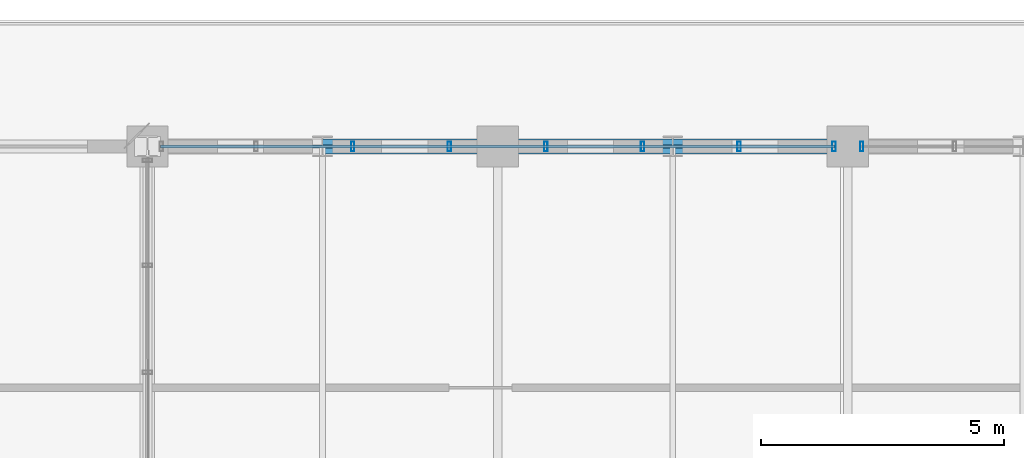
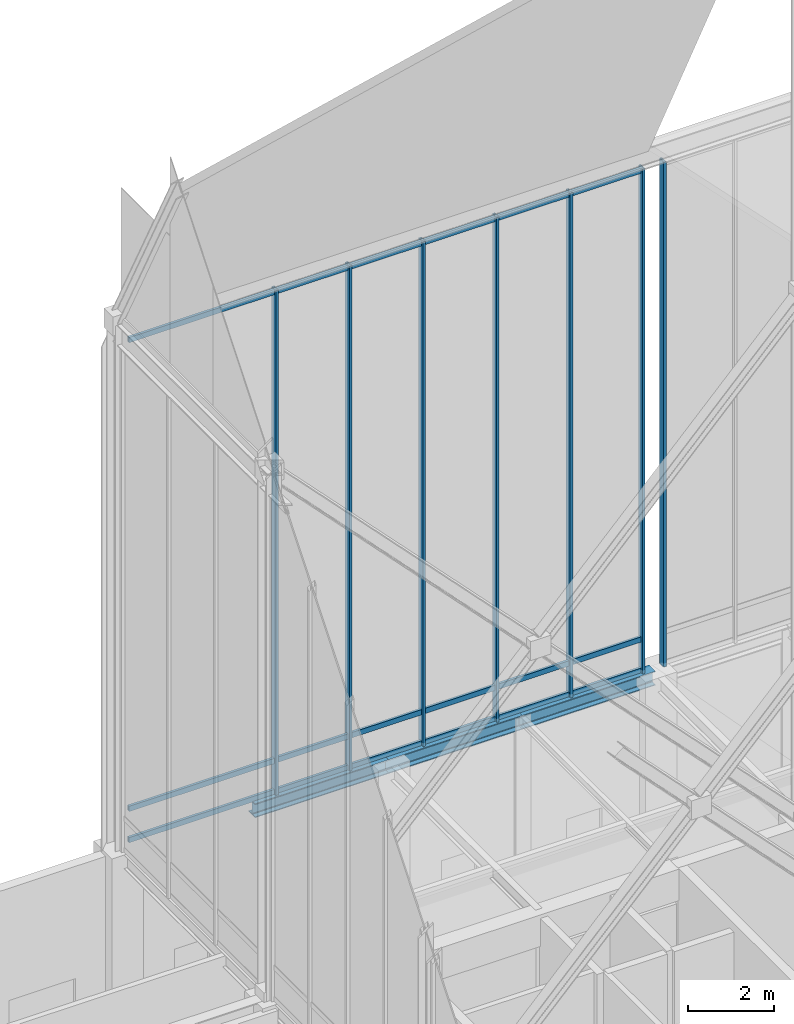
# One storey, part 25 of 49: 10 members, 3 beams, 2 elements without a shape of their own.
"""IFC4 building model written with IfcOpenShell, lengths in metres."""

from ifc_helpers import new_model, si_unit, direction, frame, origin, origin_2d, place, context, subcontext, project, spatial, hollow_rectangle, i_section, extrude, source, transform, mapped, material, layer, layer_set, material_profile, profile_set, type_object, element, aggregate, save


model = new_model("IFC4")

# Units and contexts
model_context = context("Model", 3, precision=1e-05, world=origin(), true_north=direction((0.0, 1.0)))
body_context = subcontext(model_context, "Body", "Model", "MODEL_VIEW")
ifc_project = project(units=[si_unit("LENGTHUNIT", "METRE"), si_unit("AREAUNIT", "SQUARE_METRE"), si_unit("VOLUMEUNIT", "CUBIC_METRE"), si_unit("PLANEANGLEUNIT", "RADIAN"), si_unit("MASSUNIT", "GRAM", prefix="KILO")], contexts=[model_context])

# Site, building, storey
site_placement = place(None, origin())
site = spatial("IfcSite", under=ifc_project, at=site_placement, CompositionType="ELEMENT")
building_placement = place(site_placement, origin())
building = spatial("IfcBuilding", under=site, at=building_placement, Name="Kaliganga Portal Commons", CompositionType="ELEMENT")
storey_placement = place(building_placement, frame((0.0, 0.0, 298.0)))
storey = spatial("IfcBuildingStorey", under=building, at=storey_placement, Name="L77", CompositionType="ELEMENT", Elevation=298.0)

# Beams
ifc_material_1 = material(Name="Structural steel S355J2", Category="steel")
ifc_material_profile_1 = material_profile(ifc_material_1, i_section(OverallWidth=0.300048828125, OverallDepth=0.39990234375, WebThickness=0.013427734375, FlangeThickness=0.02392578125, FilletRadius=0.027099609375, at=origin_2d()), Name="HE 400 B")
ifc_profile_set_1 = profile_set([ifc_material_profile_1], Name="Structural steel S355J2 wide-flange")
beam_type = type_object("IfcBeamType", Name="BM-SPAND-400", PredefinedType="SPANDREL", material=ifc_profile_set_1)
shared_shape_1 = source(origin(), body_context, "Body", "SweptSolid", [
    extrude(i_section(OverallWidth=0.300048828125, OverallDepth=0.39990234375, WebThickness=0.013427734375, FlangeThickness=0.02392578125, FilletRadius=0.027099609375, at=origin_2d()), origin(), (0.0, 0.0, 1.0), 3.60009765625),
])
for number, where, z_axis, x_axis, name in (
    (1, (18.0, 43.199951171875, 5.800048828125), (1.0, 0.0, 0.0), (0.0, 1.0, 0.0), "BM SP L77 AN 2"),
    (2, (25.199951171875, 43.199951171875, 5.800048828125), (1.0, 0.0, 0.0), (0.0, 1.0, 0.0), "BM SP L77 AN 4"),
):
    element("IfcBeam", number, at=place(storey_placement, frame(where, z_axis=z_axis, x_axis=x_axis)), inside=storey, type_object=beam_type, Name=name, PredefinedType="SPANDREL", context=body_context, shape_type="MappedRepresentation", body=[
        mapped(shared_shape_1, transform((0.0, 0.0, 0.0), x_axis=(1.0, 0.0, 0.0), y_axis=(0.0, 1.0, 0.0), z_axis=(0.0, 0.0, 1.0), scale=1.0)),
    ])
shared_shape_2 = source(origin(), body_context, "Body", "SweptSolid", [
    extrude(i_section(OverallWidth=0.300048828125, OverallDepth=0.39990234375, WebThickness=0.013427734375, FlangeThickness=0.02392578125, FilletRadius=0.027099609375, at=origin_2d()), origin(), (0.0, 0.0, 1.0), 3.599853515625),
])
beam_placement = place(storey_placement, frame((21.60009765625, 43.199951171875, 5.800048828125), z_axis=(1.0, 0.0, 0.0), x_axis=(0.0, 1.0, 0.0)))
element("IfcBeam", 3, at=beam_placement, inside=storey, type_object=beam_type, Name="BM SP L77 AN 3", PredefinedType="SPANDREL", context=body_context, shape_type="MappedRepresentation", body=[
    mapped(shared_shape_2, transform((0.0, 0.0, 0.0), x_axis=(1.0, 0.0, 0.0), y_axis=(0.0, 1.0, 0.0), z_axis=(0.0, 0.0, 1.0), scale=1.0)),
])

# Curtain wall, member
ifc_material_2 = material(Name="Anodized Aluminium and Laminated Low-E Glass", Category="aluminium")
ifc_layer = layer(ifc_material_2, 0.25)
ifc_layer_set = layer_set([ifc_layer], Name="Anodized Aluminium and Laminated Low-E Glass")
curtain_wall_type = type_object("IfcCurtainWallType", Name="CW-SYS-06", PredefinedType="NOTDEFINED", material=ifc_layer_set)
curtain_wall_1_placement = place(storey_placement, origin())
curtain_wall_1 = element("IfcCurtainWall", 4, at=curtain_wall_1_placement, inside=storey, type_object=curtain_wall_type, Name="CW 06 L77 NE", PredefinedType="NOTDEFINED")
ifc_material_3 = material(Name="Dark Bronze Anodized Aluminium", Category="aluminium")
ifc_material_profile_2 = material_profile(ifc_material_3, hollow_rectangle(XDim=0.070068359375, YDim=0.199951171875, WallThickness=0.00390625, at=origin_2d()), Name="ALU MULL 70x200x4")
ifc_profile_set_2 = profile_set([ifc_material_profile_2], Name="Dark Bronze Anodized Aluminium")
member_type_1 = type_object("IfcMemberType", Name="CW-MUL-220", PredefinedType="MULLION", material=ifc_profile_set_2)
shared_shape_3 = source(origin(), body_context, "Body", "SweptSolid", [
    extrude(hollow_rectangle(XDim=0.070068359375, YDim=0.199951171875, WallThickness=0.00390625, at=origin_2d()), origin(), (0.0, 0.0, 1.0), 14.39990234375),
])
member_1_placement = place(storey_placement, frame((29.0849609375, 43.199951171875, 6.0), z_axis=(0.0, 0.0, 1.0), x_axis=(-1.0, 0.0, 0.0)))
member_1 = element("IfcMember", 5, at=member_1_placement, type_object=member_type_1, Name="CW:06:L77:NE Mullion 09", PredefinedType="MULLION", context=body_context, shape_type="MappedRepresentation", body=[
    mapped(shared_shape_3, transform((0.0, 0.0, 0.0), x_axis=(1.0, 0.0, 0.0), y_axis=(0.0, 1.0, 0.0), z_axis=(0.0, 0.0, 1.0), scale=1.0)),
])
aggregate(curtain_wall_1, [member_1])

# Curtain wall, members
curtain_wall_2_placement = place(storey_placement, origin())
curtain_wall_2 = element("IfcCurtainWall", 6, at=curtain_wall_2_placement, inside=storey, type_object=curtain_wall_type, Name="CW 06 L77 NW", PredefinedType="NOTDEFINED")
member_2_placement = place(storey_placement, frame((28.514892578125, 43.199951171875, 6.0), z_axis=(0.0, 0.0, 1.0), x_axis=(-1.0, 0.0, 0.0)))
member_2 = element("IfcMember", 7, at=member_2_placement, type_object=member_type_1, Name="CW:06:L77:NW Mullion 00", PredefinedType="MULLION", context=body_context, shape_type="MappedRepresentation", body=[
    mapped(shared_shape_3, transform((0.0, 0.0, 0.0), x_axis=(1.0, 0.0, 0.0), y_axis=(0.0, 1.0, 0.0), z_axis=(0.0, 0.0, 1.0), scale=1.0)),
])
member_3_placement = place(storey_placement, frame((26.564208984375, 43.199951171875, 6.0), z_axis=(0.0, 0.0, 1.0), x_axis=(-1.0, 0.0, 0.0)))
member_3 = element("IfcMember", 8, at=member_3_placement, type_object=member_type_1, Name="CW:06:L77:NW Mullion 01", PredefinedType="MULLION", context=body_context, shape_type="MappedRepresentation", body=[
    mapped(shared_shape_3, transform((0.0, 0.0, 0.0), x_axis=(1.0, 0.0, 0.0), y_axis=(0.0, 1.0, 0.0), z_axis=(0.0, 0.0, 1.0), scale=1.0)),
])
member_4_placement = place(storey_placement, frame((24.57861328125, 43.199951171875, 6.0), z_axis=(0.0, 0.0, 1.0), x_axis=(-1.0, 0.0, 0.0)))
member_4 = element("IfcMember", 9, at=member_4_placement, type_object=member_type_1, Name="CW:06:L77:NW Mullion 02", PredefinedType="MULLION", context=body_context, shape_type="MappedRepresentation", body=[
    mapped(shared_shape_3, transform((0.0, 0.0, 0.0), x_axis=(1.0, 0.0, 0.0), y_axis=(0.0, 1.0, 0.0), z_axis=(0.0, 0.0, 1.0), scale=1.0)),
])
member_5_placement = place(storey_placement, frame((22.593017578125, 43.199951171875, 6.0), z_axis=(0.0, 0.0, 1.0), x_axis=(-1.0, 0.0, 0.0)))
member_5 = element("IfcMember", 10, at=member_5_placement, type_object=member_type_1, Name="CW:06:L77:NW Mullion 03", PredefinedType="MULLION", context=body_context, shape_type="MappedRepresentation", body=[
    mapped(shared_shape_3, transform((0.0, 0.0, 0.0), x_axis=(1.0, 0.0, 0.0), y_axis=(0.0, 1.0, 0.0), z_axis=(0.0, 0.0, 1.0), scale=1.0)),
])
member_6_placement = place(storey_placement, frame((20.607177734375, 43.199951171875, 6.0), z_axis=(0.0, 0.0, 1.0), x_axis=(-1.0, 0.0, 0.0)))
member_6 = element("IfcMember", 11, at=member_6_placement, type_object=member_type_1, Name="CW:06:L77:NW Mullion 04", PredefinedType="MULLION", context=body_context, shape_type="MappedRepresentation", body=[
    mapped(shared_shape_3, transform((0.0, 0.0, 0.0), x_axis=(1.0, 0.0, 0.0), y_axis=(0.0, 1.0, 0.0), z_axis=(0.0, 0.0, 1.0), scale=1.0)),
])
member_7_placement = place(storey_placement, frame((18.621337890625, 43.199951171875, 6.0), z_axis=(0.0, 0.0, 1.0), x_axis=(-1.0, 0.0, 0.0)))
member_7 = element("IfcMember", 12, at=member_7_placement, type_object=member_type_1, Name="CW:06:L77:NW Mullion 05", PredefinedType="MULLION", context=body_context, shape_type="MappedRepresentation", body=[
    mapped(shared_shape_3, transform((0.0, 0.0, 0.0), x_axis=(1.0, 0.0, 0.0), y_axis=(0.0, 1.0, 0.0), z_axis=(0.0, 0.0, 1.0), scale=1.0)),
])
ifc_material_profile_3 = material_profile(ifc_material_3, hollow_rectangle(XDim=0.070068359375, YDim=0.14990234375, WallThickness=0.00341796875, at=origin_2d()), Name="ALU TRAN 70x150x3.5")
ifc_profile_set_3 = profile_set([ifc_material_profile_3], Name="Dark Bronze Anodized Aluminium")
member_type_2 = type_object("IfcMemberType", Name="CW-TRN-150", PredefinedType="USERDEFINED", material=ifc_profile_set_3)
shared_shape_4 = source(origin(), body_context, "Body", "SweptSolid", [
    extrude(hollow_rectangle(XDim=0.070068359375, YDim=0.14990234375, WallThickness=0.00341796875, at=origin_2d()), origin(), (0.0, 0.0, 1.0), 13.860107421875),
])
member_8_placement = place(storey_placement, frame((28.530029296875, 43.199951171875, 6.06005859375), z_axis=(-1.0, 0.0, 0.0), x_axis=(0.0, -1.0, 0.0)))
member_8 = element("IfcMember", 13, at=member_8_placement, type_object=member_type_2, Name="CW:06:L77:NW Transom 1", ObjectType="TRANSOM", PredefinedType="USERDEFINED", context=body_context, shape_type="MappedRepresentation", body=[
    mapped(shared_shape_4, transform((0.0, 0.0, 0.0), x_axis=(1.0, 0.0, 0.0), y_axis=(0.0, 1.0, 0.0), z_axis=(0.0, 0.0, 1.0), scale=1.0)),
])
member_9_placement = place(storey_placement, frame((28.530029296875, 43.199951171875, 6.949951171875), z_axis=(-1.0, 0.0, 0.0), x_axis=(0.0, -1.0, 0.0)))
member_9 = element("IfcMember", 14, at=member_9_placement, type_object=member_type_2, Name="CW:06:L77:NW Transom 2", ObjectType="TRANSOM", PredefinedType="USERDEFINED", context=body_context, shape_type="MappedRepresentation", body=[
    mapped(shared_shape_4, transform((0.0, 0.0, 0.0), x_axis=(1.0, 0.0, 0.0), y_axis=(0.0, 1.0, 0.0), z_axis=(0.0, 0.0, 1.0), scale=1.0)),
])
member_10_placement = place(storey_placement, frame((28.530029296875, 43.199951171875, 20.320068359375), z_axis=(-1.0, 0.0, 0.0), x_axis=(0.0, -1.0, 0.0)))
member_10 = element("IfcMember", 15, at=member_10_placement, type_object=member_type_2, Name="CW:06:L77:NW Transom 3", ObjectType="TRANSOM", PredefinedType="USERDEFINED", context=body_context, shape_type="MappedRepresentation", body=[
    mapped(shared_shape_4, transform((0.0, 0.0, 0.0), x_axis=(1.0, 0.0, 0.0), y_axis=(0.0, 1.0, 0.0), z_axis=(0.0, 0.0, 1.0), scale=1.0)),
])
aggregate(curtain_wall_2, [member_2, member_3, member_4, member_5, member_6, member_7, member_8, member_9, member_10])

save(model, "model.ifc")
